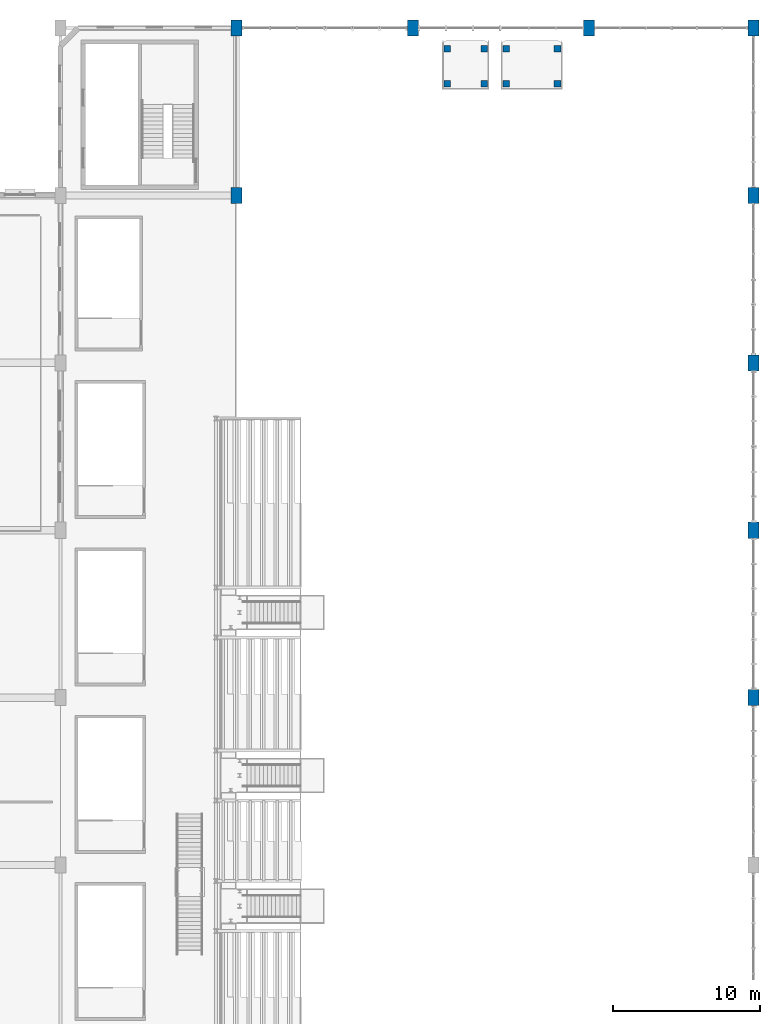
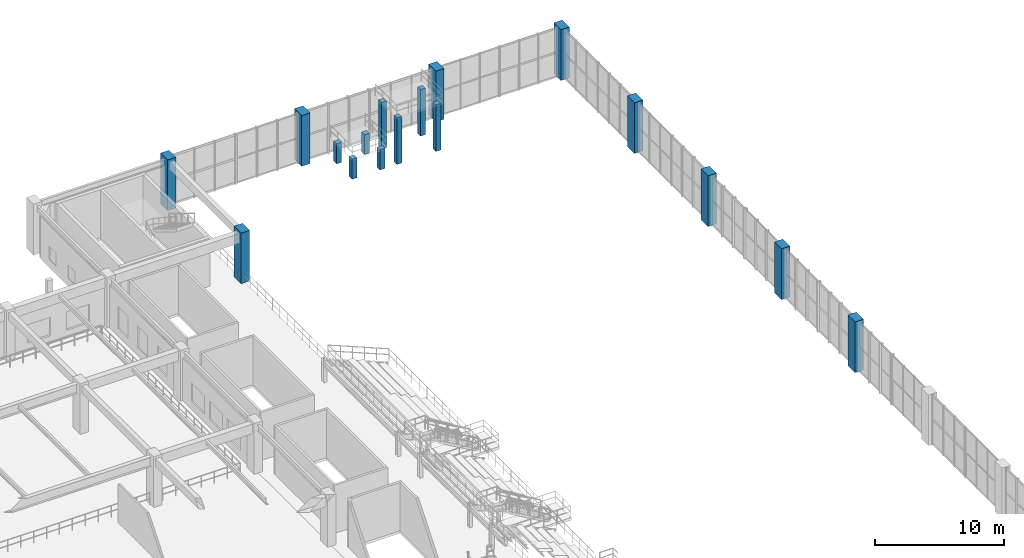
# One storey, part 15 of 106: 17 columns.
"""IFC4 building model written with IfcOpenShell, lengths in metres."""

from ifc_helpers import new_model, si_unit, direction, frame, origin, origin_2d, place, context, subcontext, project, spatial, rectangle, extrude, material, material_profile, profile_set, type_object, element, save


model = new_model("IFC4")

# Units and contexts
model_context = context("Model", 3, precision=1e-05, world=origin(), true_north=direction((0.0, 1.0)))
body_context = subcontext(model_context, "Body", "Model", "MODEL_VIEW")
ifc_project = project(units=[si_unit("LENGTHUNIT", "METRE"), si_unit("AREAUNIT", "SQUARE_METRE"), si_unit("VOLUMEUNIT", "CUBIC_METRE"), si_unit("PLANEANGLEUNIT", "RADIAN"), si_unit("MASSUNIT", "GRAM", prefix="KILO"), si_unit("POWERUNIT", "WATT"), si_unit("THERMODYNAMICTEMPERATUREUNIT", "KELVIN")], contexts=[model_context])

# Site, building, storey
site_placement = place(None, origin())
site = spatial("IfcSite", under=ifc_project, at=site_placement, CompositionType="ELEMENT")
building_placement = place(site_placement, origin())
building = spatial("IfcBuilding", under=site, at=building_placement, Name="Kelmbourne Parkland Aquatics Centre", CompositionType="ELEMENT")
storey_placement = place(building_placement, frame((0.0, 0.0, 5.39990234375)))
storey = spatial("IfcBuildingStorey", under=building, at=storey_placement, Name="L01", CompositionType="ELEMENT", Elevation=5.39990234375)

# Columns
ifc_material = material(Name="Concrete C40/50", Category="concrete")
ifc_material_profile_1 = material_profile(ifc_material, rectangle(XDim=0.75, YDim=1.10009765625, at=origin_2d()), Name="RC 750x1100")
ifc_profile_set_1 = profile_set([ifc_material_profile_1], Name="Concrete C40/50")
column_type_1 = type_object("IfcColumnType", Name="COL-C03", PredefinedType="COLUMN", material=ifc_profile_set_1)
for number, where, z_axis, x_axis, name in (
    (1, (140.0, 103.39990234375, 0.0), (0.0, 0.0, 1.0), (1.0, 0.0, 0.0), "Structural column Q-13 (L01)"),
    (2, (140.0, 114.800048828125, 0.0), (0.0, 0.0, 1.0), (1.0, 0.0, 0.0), "Structural column Q-14 (L01)"),
    (3, (152.0, 114.800048828125, 0.0), (0.0, 0.0, 1.0), (1.0, 0.0, 0.0), "Structural column R-14 (L01)"),
    (4, (164.0, 114.800048828125, 0.0), (0.0, 0.0, 1.0), (1.0, 0.0, 0.0), "Structural column S-14 (L01)"),
    (5, (175.199951171875, 69.199951171875, 0.0), (0.0, 0.0, 1.0), (1.0, 0.0, 0.0), "Structural column T-10 (L01)"),
    (6, (175.199951171875, 80.60009765625, 0.0), (0.0, 0.0, 1.0), (1.0, 0.0, 0.0), "Structural column T-11 (L01)"),
    (7, (175.199951171875, 92.0, 0.0), (0.0, 0.0, 1.0), (1.0, 0.0, 0.0), "Structural column T-12 (L01)"),
    (8, (175.199951171875, 103.39990234375, 0.0), (0.0, 0.0, 1.0), (1.0, 0.0, 0.0), "Structural column T-13 (L01)"),
    (9, (175.199951171875, 114.800048828125, 0.0), (0.0, 0.0, 1.0), (1.0, 0.0, 0.0), "Structural column T-14 (L01)"),
):
    element("IfcColumn", number, at=place(storey_placement, frame(where, z_axis=z_axis, x_axis=x_axis)), inside=storey, type_object=column_type_1, Name=name, PredefinedType="COLUMN", context=body_context, shape_type="SweptSolid", body=[
        extrude(rectangle(XDim=0.75, YDim=1.10009765625, at=origin_2d()), origin(), (0.0, 0.0, 1.0), 4.800048828125),
    ])
ifc_material_profile_2 = material_profile(ifc_material, rectangle(XDim=0.449951171875, YDim=0.449951171875, at=origin_2d()), Name="RC 450x450")
ifc_profile_set_2 = profile_set([ifc_material_profile_2], Name="Concrete C40/50")
column_type_2 = type_object("IfcColumnType", Name="COL-C08", PredefinedType="COLUMN", material=ifc_profile_set_2)
for number, where, z_axis, x_axis, name in (
    (10, (154.35009765625, 111.0, 0.0), (0.0, 0.0, 1.0), (1.0, 0.0, 0.0), "Diving tower L01 pier 7M5-1"),
    (11, (156.85009765625, 111.0, 0.0), (0.0, 0.0, 1.0), (1.0, 0.0, 0.0), "Diving tower L01 pier 7M5-2"),
    (12, (154.35009765625, 113.39990234375, 0.0), (0.0, 0.0, 1.0), (1.0, 0.0, 0.0), "Diving tower L01 pier 7M5-3"),
    (13, (156.85009765625, 113.39990234375, 0.0), (0.0, 0.0, 1.0), (1.0, 0.0, 0.0), "Diving tower L01 pier 7M5-4"),
):
    element("IfcColumn", number, at=place(storey_placement, frame(where, z_axis=z_axis, x_axis=x_axis)), inside=storey, type_object=column_type_2, Name=name, PredefinedType="COLUMN", context=body_context, shape_type="SweptSolid", body=[
        extrude(rectangle(XDim=0.449951171875, YDim=0.449951171875, at=origin_2d()), origin(), (0.0, 0.0, 1.0), 1.900146484375),
    ])
for number, where, z_axis, x_axis, name in (
    (14, (158.35009765625, 111.0, 0.0), (0.0, 0.0, 1.0), (1.0, 0.0, 0.0), "Diving tower L01 pier 10M-1"),
    (15, (161.85009765625, 111.0, 0.0), (0.0, 0.0, 1.0), (1.0, 0.0, 0.0), "Diving tower L01 pier 10M-2"),
    (16, (158.35009765625, 113.39990234375, 0.0), (0.0, 0.0, 1.0), (1.0, 0.0, 0.0), "Diving tower L01 pier 10M-3"),
    (17, (161.85009765625, 113.39990234375, 0.0), (0.0, 0.0, 1.0), (1.0, 0.0, 0.0), "Diving tower L01 pier 10M-4"),
):
    element("IfcColumn", number, at=place(storey_placement, frame(where, z_axis=z_axis, x_axis=x_axis)), inside=storey, type_object=column_type_2, Name=name, PredefinedType="COLUMN", context=body_context, shape_type="SweptSolid", body=[
        extrude(rectangle(XDim=0.449951171875, YDim=0.449951171875, at=origin_2d()), origin(), (0.0, 0.0, 1.0), 4.400146484375),
    ])

save(model, "model.ifc")
